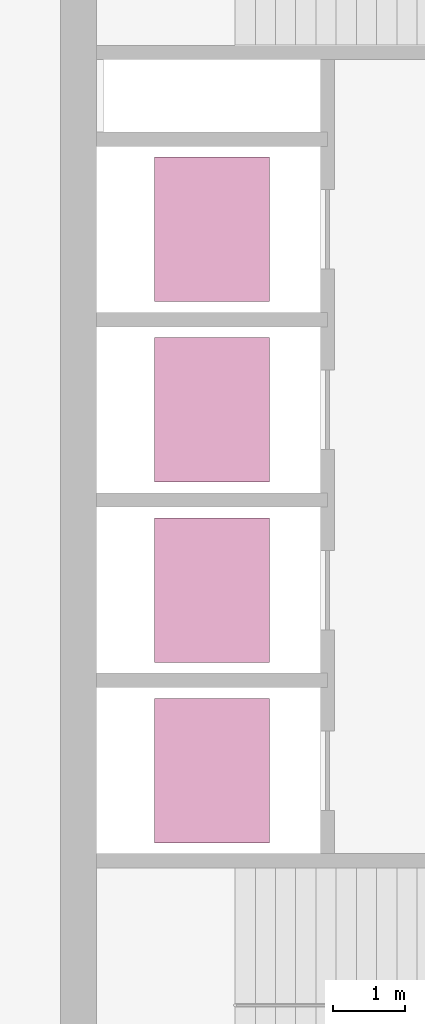
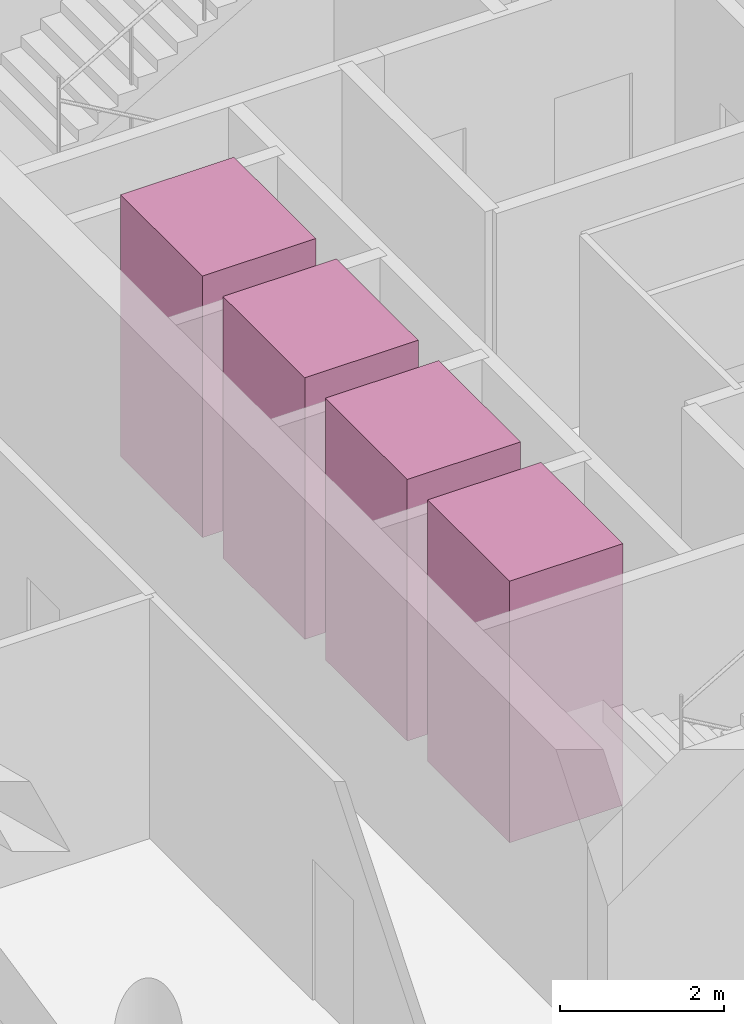
# One storey, part 11 of 11: 4 transport elements.
"""IFC4 building model written with IfcOpenShell, lengths in metres."""

from ifc_helpers import new_model, si_unit, direction, frame, origin, origin_2d, place, context, subcontext, project, spatial, rectangle, extrude, material, type_object, element, save


model = new_model("IFC4")

# Units and contexts
model_context = context("Model", 3, precision=1e-05, world=origin(), true_north=direction((0.0, 1.0)))
body_context = subcontext(model_context, "Body", "Model", "MODEL_VIEW")
ifc_project = project(units=[si_unit("LENGTHUNIT", "METRE"), si_unit("AREAUNIT", "SQUARE_METRE"), si_unit("VOLUMEUNIT", "CUBIC_METRE"), si_unit("PLANEANGLEUNIT", "RADIAN"), si_unit("MASSUNIT", "GRAM", prefix="KILO")], contexts=[model_context])

# Site, building, storey
site_placement = place(None, origin())
site = spatial("IfcSite", under=ifc_project, at=site_placement, CompositionType="ELEMENT")
building_placement = place(site_placement, origin())
building = spatial("IfcBuilding", under=site, at=building_placement, Name="Qaws Garden Tower", CompositionType="ELEMENT")
storey_placement = place(building_placement, frame((0.0, 0.0, 321.60009765625)))
storey = spatial("IfcBuildingStorey", under=building, at=storey_placement, Name="L78", CompositionType="ELEMENT", Elevation=321.60009765625)

# Transport elements
ifc_material = material(Name="Stainless steel 316", Category="steel")
transport_element_type = type_object("IfcTransportElementType", Name="Passenger lift car 2000x1600 1800 kg", PredefinedType="ELEVATOR", material=ifc_material)
for number, where, z_axis, x_axis, name in (
    (1, (10.10009765625, 13.64990234375, 0.0), (0.0, 0.0, 1.0), (1.0, 0.0, 0.0), "HR1"),
    (2, (10.10009765625, 16.14990234375, 0.0), (0.0, 0.0, 1.0), (1.0, 0.0, 0.0), "HR2"),
    (3, (10.10009765625, 18.64990234375, 0.0), (0.0, 0.0, 1.0), (1.0, 0.0, 0.0), "HR3"),
    (4, (10.10009765625, 21.14990234375, 0.0), (0.0, 0.0, 1.0), (1.0, 0.0, 0.0), "HR4"),
):
    element("IfcTransportElement", number, at=place(storey_placement, frame(where, z_axis=z_axis, x_axis=x_axis)), inside=storey, type_object=transport_element_type, Name=name, PredefinedType="ELEVATOR", context=body_context, shape_type="SweptSolid", body=[
        extrude(rectangle(XDim=1.60009765625, YDim=2.0, at=origin_2d()), origin(), (0.0, 0.0, 1.0), 3.89990234375),
    ])

save(model, "model.ifc")
